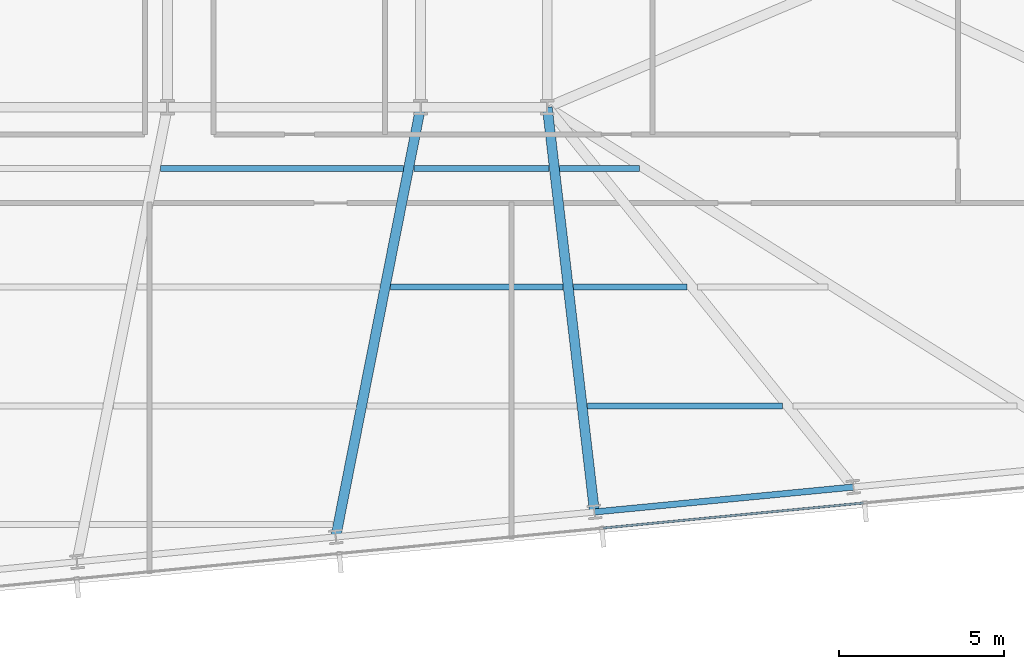
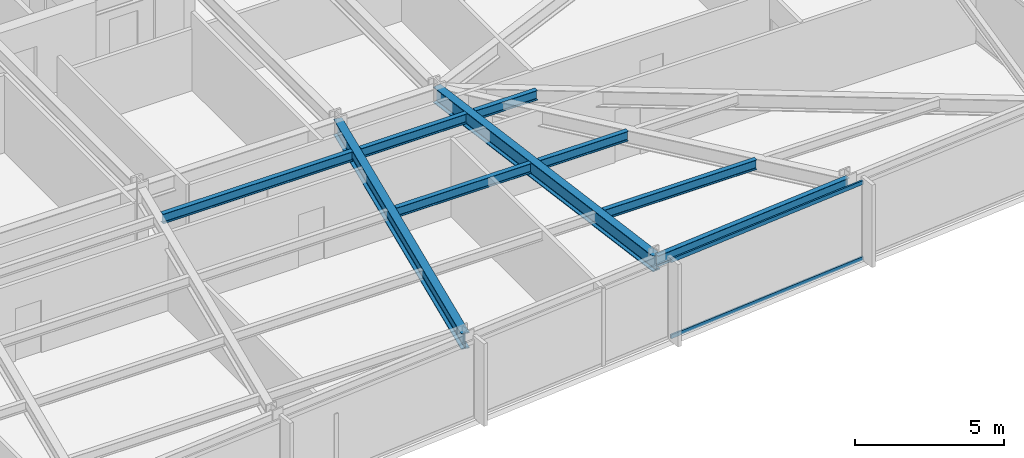
# One storey, part 11 of 32: 9 beams, 2 members, 1 element without a shape of its own.
"""IFC4 building model written with IfcOpenShell, lengths in metres."""

from ifc_helpers import new_model, si_unit, direction, frame, origin, origin_2d, place, context, subcontext, project, spatial, hollow_rectangle, i_section, extrude, material, material_profile, profile_set, type_object, element, aggregate, save


model = new_model("IFC4")

# Units and contexts
model_context = context("Model", 3, precision=1e-05, world=origin(), true_north=direction((0.0, 1.0)))
body_context = subcontext(model_context, "Body", "Model", "MODEL_VIEW")
ifc_project = project(units=[si_unit("LENGTHUNIT", "METRE"), si_unit("AREAUNIT", "SQUARE_METRE"), si_unit("VOLUMEUNIT", "CUBIC_METRE"), si_unit("PLANEANGLEUNIT", "RADIAN"), si_unit("MASSUNIT", "GRAM", prefix="KILO")], contexts=[model_context])

# Site, building, storey
site_placement = place(None, origin())
site = spatial("IfcSite", under=ifc_project, at=site_placement, CompositionType="ELEMENT")
building_placement = place(site_placement, origin())
building = spatial("IfcBuilding", under=site, at=building_placement, Name="Yelkora Congress Tower", CompositionType="ELEMENT")
storey_placement = place(building_placement, frame((0.0, 0.0, 96.5)))
storey = spatial("IfcBuildingStorey", under=building, at=storey_placement, Name="L25", CompositionType="ELEMENT", Elevation=96.5)

# Beams
ifc_material_1 = material(Name="Steel S355J2", Category="steel")
ifc_material_profile_1 = material_profile(ifc_material_1, i_section(OverallWidth=0.300048828125, OverallDepth=0.64990234375, WebThickness=0.01611328125, FlangeThickness=0.031005859375, FilletRadius=0.027099609375, at=origin_2d()), Name="HEB 650")
ifc_profile_set_1 = profile_set([ifc_material_profile_1], Name="Steel S355J2")
beam_type_1 = type_object("IfcBeamType", Name="BM-GIRD-HEB650", PredefinedType="BEAM", material=ifc_profile_set_1)
beam_1_placement = place(storey_placement, frame((51.18359375, 12.16748046875, 2.85498046875), z_axis=(0.193938615251, 0.981013666324, 0.0), x_axis=(-0.981013666324, 0.193938615251, 0.0)))
element("IfcBeam", 1, at=beam_1_placement, inside=storey, type_object=beam_type_1, Name="L25 Primary Frame Girder S05", PredefinedType="BEAM", context=body_context, shape_type="SweptSolid", body=[
    extrude(i_section(OverallWidth=0.300048828125, OverallDepth=0.64990234375, WebThickness=0.01611328125, FlangeThickness=0.031005859375, FilletRadius=0.027099609375, at=origin_2d()), origin(), (0.0, 0.0, 1.0), 13.28466796875),
])
beam_2_placement = place(storey_placement, frame((59.033203125, 12.92333984375, 2.85498046875), z_axis=(-0.115947280821, 0.993255369011, 0.0), x_axis=(-0.993255369011, -0.115947280821, 0.0)))
element("IfcBeam", 2, at=beam_2_placement, inside=storey, type_object=beam_type_1, Name="L25 Primary Frame Girder S06", PredefinedType="BEAM", context=body_context, shape_type="SweptSolid", body=[
    extrude(i_section(OverallWidth=0.300048828125, OverallDepth=0.64990234375, WebThickness=0.01611328125, FlangeThickness=0.031005859375, FilletRadius=0.027099609375, at=origin_2d()), origin(), (0.0, 0.0, 1.0), 12.35986328125),
])
ifc_material_profile_2 = material_profile(ifc_material_1, i_section(OverallWidth=0.179931640625, OverallDepth=0.39990234375, WebThickness=0.008544921875, FlangeThickness=0.013427734375, FilletRadius=0.02099609375, at=origin_2d()), Name="IPE 400")
ifc_profile_set_2 = profile_set([ifc_material_profile_2], Name="Steel S355J2")
beam_type_2 = type_object("IfcBeamType", Name="BM-JOIST-IPE400", PredefinedType="JOIST", material=ifc_profile_set_2)
beam_3_placement = place(storey_placement, frame((58.817138671875, 16.144287109375, 2.97998046875), z_axis=(1.0, 0.0, 0.0), x_axis=(0.0, 1.0, 0.0)))
element("IfcBeam", 3, at=beam_3_placement, inside=storey, type_object=beam_type_2, Name="L25 Composite Floor Joist 9", PredefinedType="JOIST", context=body_context, shape_type="SweptSolid", body=[
    extrude(i_section(OverallWidth=0.179931640625, OverallDepth=0.39990234375, WebThickness=0.008544921875, FlangeThickness=0.013427734375, FilletRadius=0.02099609375, at=origin_2d()), origin(), (0.0, 0.0, 1.0), 5.919189453125),
])
beam_4_placement = place(storey_placement, frame((52.841552734375, 19.744384765625, 2.97998046875), z_axis=(1.0, 0.0, 0.0), x_axis=(0.0, 1.0, 0.0)))
element("IfcBeam", 4, at=beam_4_placement, inside=storey, type_object=beam_type_2, Name="L25 Composite Floor Joist 15", PredefinedType="JOIST", context=body_context, shape_type="SweptSolid", body=[
    extrude(i_section(OverallWidth=0.179931640625, OverallDepth=0.39990234375, WebThickness=0.008544921875, FlangeThickness=0.013427734375, FilletRadius=0.02099609375, at=origin_2d()), origin(), (0.0, 0.0, 1.0), 5.2353515625),
])
beam_5_placement = place(storey_placement, frame((58.39697265625, 19.744384765625, 2.97998046875), z_axis=(1.0, 0.0, 0.0), x_axis=(0.0, 1.0, 0.0)))
element("IfcBeam", 5, at=beam_5_placement, inside=storey, type_object=beam_type_2, Name="L25 Composite Floor Joist 16", PredefinedType="JOIST", context=body_context, shape_type="SweptSolid", body=[
    extrude(i_section(OverallWidth=0.179931640625, OverallDepth=0.39990234375, WebThickness=0.008544921875, FlangeThickness=0.013427734375, FilletRadius=0.02099609375, at=origin_2d()), origin(), (0.0, 0.0, 1.0), 3.438720703125),
])
beam_6_placement = place(storey_placement, frame((45.87060546875, 23.344482421875, 2.97998046875), z_axis=(1.0, 0.0, 0.0), x_axis=(0.0, 1.0, 0.0)))
element("IfcBeam", 6, at=beam_6_placement, inside=storey, type_object=beam_type_2, Name="L25 Composite Floor Joist 21", PredefinedType="JOIST", context=body_context, shape_type="SweptSolid", body=[
    extrude(i_section(OverallWidth=0.179931640625, OverallDepth=0.39990234375, WebThickness=0.008544921875, FlangeThickness=0.013427734375, FilletRadius=0.02099609375, at=origin_2d()), origin(), (0.0, 0.0, 1.0), 7.362548828125),
])
beam_7_placement = place(storey_placement, frame((53.55322265625, 23.344482421875, 2.97998046875), z_axis=(1.0, 0.0, 0.0), x_axis=(0.0, 1.0, 0.0)))
element("IfcBeam", 7, at=beam_7_placement, inside=storey, type_object=beam_type_2, Name="L25 Composite Floor Joist 22", PredefinedType="JOIST", context=body_context, shape_type="SweptSolid", body=[
    extrude(i_section(OverallWidth=0.179931640625, OverallDepth=0.39990234375, WebThickness=0.008544921875, FlangeThickness=0.013427734375, FilletRadius=0.02099609375, at=origin_2d()), origin(), (0.0, 0.0, 1.0), 4.103271484375),
])
beam_8_placement = place(storey_placement, frame((57.9765625, 23.344482421875, 2.97998046875), z_axis=(1.0, 0.0, 0.0), x_axis=(0.0, 1.0, 0.0)))
element("IfcBeam", 8, at=beam_8_placement, inside=storey, type_object=beam_type_2, Name="L25 Composite Floor Joist 23", PredefinedType="JOIST", context=body_context, shape_type="SweptSolid", body=[
    extrude(i_section(OverallWidth=0.179931640625, OverallDepth=0.39990234375, WebThickness=0.008544921875, FlangeThickness=0.013427734375, FilletRadius=0.02099609375, at=origin_2d()), origin(), (0.0, 0.0, 1.0), 2.41650390625),
])
ifc_material_profile_3 = material_profile(ifc_material_1, i_section(OverallWidth=0.18994140625, OverallDepth=0.449951171875, WebThickness=0.009521484375, FlangeThickness=0.0146484375, FilletRadius=0.02099609375, at=origin_2d()), Name="IPE 450")
ifc_profile_set_3 = profile_set([ifc_material_profile_3], Name="Steel S355J2")
beam_type_3 = type_object("IfcBeamType", Name="BM-SPAN-IPE450", PredefinedType="SPANDREL", material=ifc_profile_set_3)
beam_9_placement = place(storey_placement, frame((59.033203125, 12.92333984375, 2.955078125), z_axis=(0.995395575667, 0.095852219286, 0.0), x_axis=(-0.095852219286, 0.995395575667, 0.0)))
element("IfcBeam", 9, at=beam_9_placement, inside=storey, type_object=beam_type_3, Name="L25 Perimeter Beam 8", PredefinedType="SPANDREL", context=body_context, shape_type="SweptSolid", body=[
    extrude(i_section(OverallWidth=0.18994140625, OverallDepth=0.449951171875, WebThickness=0.009521484375, FlangeThickness=0.0146484375, FilletRadius=0.02099609375, at=origin_2d()), origin(), (0.0, 0.0, 1.0), 7.8857421875),
])

# Curtain wall, members
ifc_material_2 = material(Name="Anodised aluminium and insulated glass", Category="aluminium")
curtain_wall_type = type_object("IfcCurtainWallType", Name="CW-SYS-B2", PredefinedType="NOTDEFINED", material=ifc_material_2)
curtain_wall_placement = place(storey_placement, origin())
curtain_wall = element("IfcCurtainWall", 10, at=curtain_wall_placement, inside=storey, type_object=curtain_wall_type, Name="L25 Unitised Curtain Wall 20", PredefinedType="NOTDEFINED")
ifc_material_3 = material(Name="Anodised aluminium 6063-T6", Category="aluminium")
ifc_material_profile_4 = material_profile(ifc_material_3, hollow_rectangle(XDim=0.06494140625, YDim=0.159912109375, WallThickness=0.00390625, at=origin_2d()), Name="ALU 65x160x4")
ifc_profile_set_4 = profile_set([ifc_material_profile_4], Name="Anodised aluminium 6063-T6")
member_type = type_object("IfcMemberType", Name="MEM-TR-B2", PredefinedType="USERDEFINED", material=ifc_profile_set_4)
member_1_placement = place(storey_placement, frame((67.18798828125, 13.1962890625, 0.032470703125), z_axis=(-0.995397293396, -0.095834379534, 0.0), x_axis=(0.095834379534, -0.995397293396, 0.0)))
member_1 = element("IfcMember", 11, at=member_1_placement, type_object=member_type, Name="CW-B2 transom 2.1", ObjectType="TRANSOM", PredefinedType="USERDEFINED", context=body_context, shape_type="SweptSolid", body=[
    extrude(hollow_rectangle(XDim=0.06494140625, YDim=0.159912109375, WallThickness=0.00390625, at=origin_2d()), origin(), (0.0, 0.0, 1.0), 7.93310546875),
])
member_2_placement = place(storey_placement, frame((67.18798828125, 13.1962890625, 3.1474609375), z_axis=(-0.995397293396, -0.095834379534, 0.0), x_axis=(0.095834379534, -0.995397293396, 0.0)))
member_2 = element("IfcMember", 12, at=member_2_placement, type_object=member_type, Name="CW-B2 transom 2.2", ObjectType="TRANSOM", PredefinedType="USERDEFINED", context=body_context, shape_type="SweptSolid", body=[
    extrude(hollow_rectangle(XDim=0.06494140625, YDim=0.159912109375, WallThickness=0.00390625, at=origin_2d()), origin(), (0.0, 0.0, 1.0), 7.93310546875),
])
aggregate(curtain_wall, [member_1, member_2])

save(model, "model.ifc")
